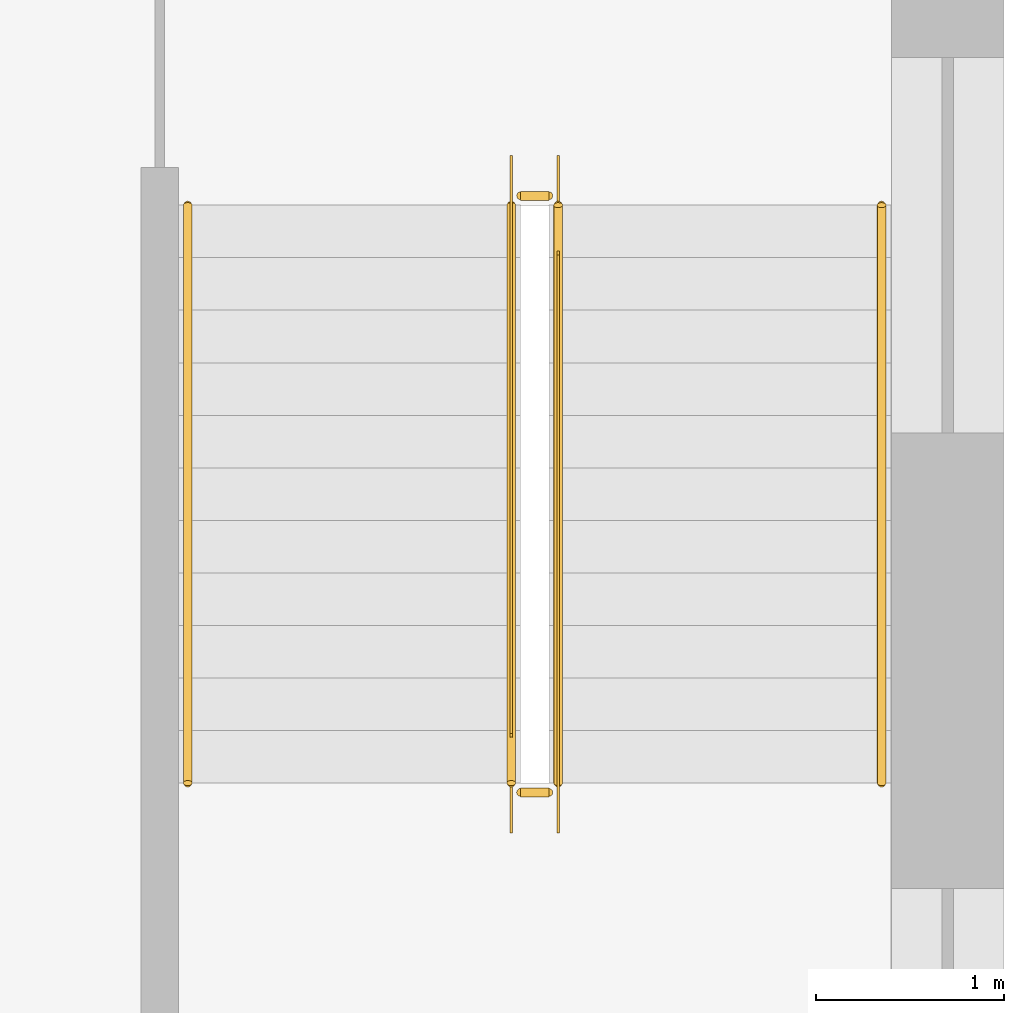
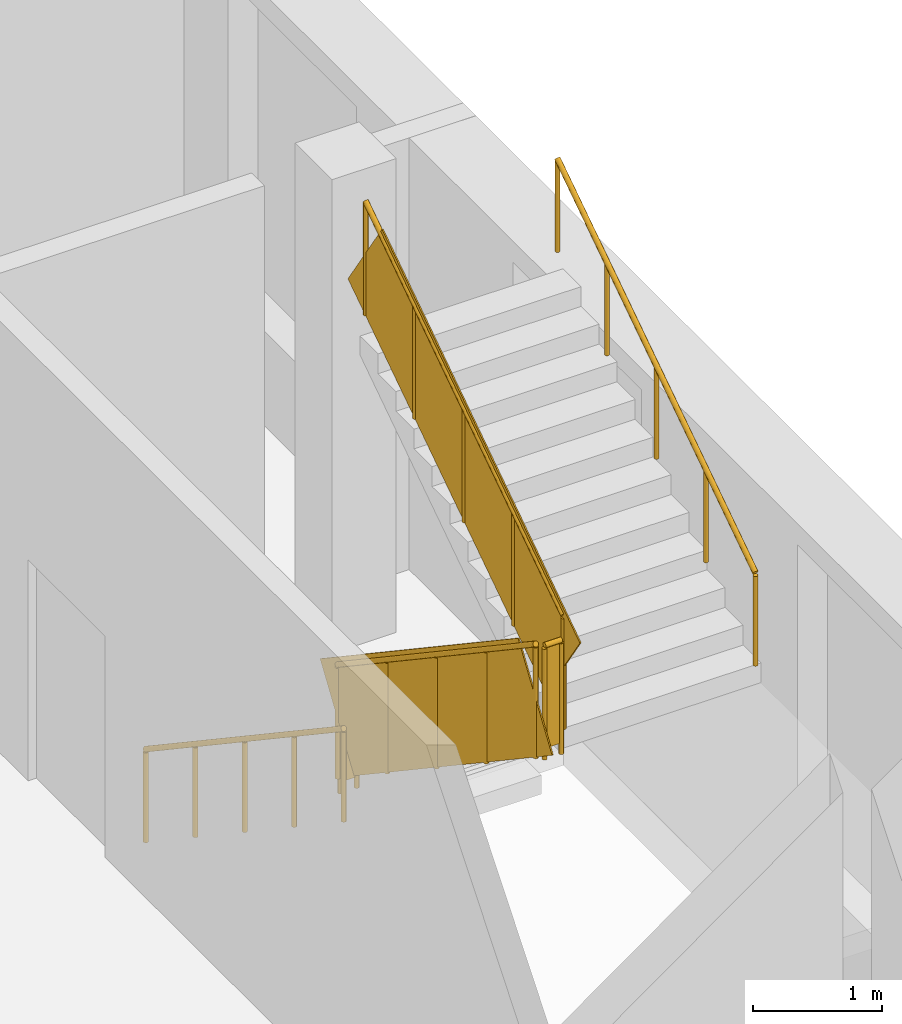
# One storey, part 23 of 27: 6 railings.
"""IFC4 building model written with IfcOpenShell, lengths in metres."""

from ifc_helpers import new_model, si_unit, direction, frame, origin, origin_2d, place, context, subcontext, project, spatial, rectangle, circle, extrude, material, type_object, element, save


model = new_model("IFC4")

# Units and contexts
model_context = context("Model", 3, precision=1e-05, world=origin(), true_north=direction((0.0, 1.0)))
body_context = subcontext(model_context, "Body", "Model", "MODEL_VIEW")
ifc_project = project(units=[si_unit("LENGTHUNIT", "METRE"), si_unit("AREAUNIT", "SQUARE_METRE"), si_unit("VOLUMEUNIT", "CUBIC_METRE"), si_unit("PLANEANGLEUNIT", "RADIAN"), si_unit("MASSUNIT", "GRAM", prefix="KILO")], contexts=[model_context])

# Site, building, storey
site_placement = place(None, origin())
site = spatial("IfcSite", under=ifc_project, at=site_placement, CompositionType="ELEMENT")
building_placement = place(site_placement, origin())
building = spatial("IfcBuilding", under=site, at=building_placement, Name="Dilmun Exchange Tower", CompositionType="ELEMENT")
storey_placement = place(building_placement, frame((0.0, 0.0, 4.5)))
storey = spatial("IfcBuildingStorey", under=building, at=storey_placement, Name="L01", CompositionType="ELEMENT", Elevation=4.5)

# Railings
ifc_material_1 = material(Name="Guard 1100")
railing_type_1 = type_object("IfcRailingType", Name="Guard 1100", PredefinedType="GUARDRAIL", material=ifc_material_1)
railing_1_placement = place(storey_placement, frame((33.3740234375, -2.0, 0.1875)))
element("IfcRailing", 1, at=railing_1_placement, inside=storey, type_object=railing_type_1, Name="L01 PS3 stair guard 1", PredefinedType="GUARDRAIL", context=body_context, shape_type="SweptSolid", body=[
    extrude(circle(Radius=0.02392578125, at=origin_2d()), frame((0.0, 0.0, 1.076171875), z_axis=(0.0, -0.830913701846, 0.55640131208), x_axis=(1.0, 0.0, 0.0)), (0.0, 0.0, 1.0), 3.706787109375),
    extrude(rectangle(XDim=0.011962890625, YDim=0.951904296875, at=origin_2d()), frame((0.0, 0.0, 0.576171875), z_axis=(0.0, -0.830913701846, 0.55640131208), x_axis=(1.0, 0.0, 0.0)), (0.0, 0.0, 1.0), 3.706787109375),
    extrude(circle(Radius=0.02099609375, at=origin_2d()), origin(), (0.0, 0.0, 1.0), 1.052001953125),
    extrude(circle(Radius=0.02099609375, at=origin_2d()), frame((0.0, -0.77001953125, 0.515625)), (0.0, 0.0, 1.0), 1.052001953125),
    extrude(circle(Radius=0.02099609375, at=origin_2d()), frame((0.0, -1.5400390625, 1.03125)), (0.0, 0.0, 1.0), 1.052001953125),
    extrude(circle(Radius=0.02099609375, at=origin_2d()), frame((0.0, -2.31005859375, 1.546875)), (0.0, 0.0, 1.0), 1.052001953125),
    extrude(circle(Radius=0.02099609375, at=origin_2d()), frame((0.0, -3.080078125, 2.0625)), (0.0, 0.0, 1.0), 1.052001953125),
])
railing_2_placement = place(storey_placement, frame((33.424072265625, -5.1298828125, 2.25)))
element("IfcRailing", 2, at=railing_2_placement, inside=storey, type_object=railing_type_1, Name="L01 PS3 stair guard 2", PredefinedType="GUARDRAIL", context=body_context, shape_type="SweptSolid", body=[
    extrude(circle(Radius=0.02392578125, at=origin_2d()), frame((0.0, 0.0, 1.076171875), z_axis=(1.0, 0.0, 0.0), x_axis=(0.0, 1.0, 0.0)), (0.0, 0.0, 1.0), 0.14990234375),
    extrude(rectangle(XDim=0.011962890625, YDim=0.951904296875, at=origin_2d()), frame((0.0, 0.0, 0.576171875), z_axis=(1.0, 0.0, 0.0), x_axis=(0.0, 1.0, 0.0)), (0.0, 0.0, 1.0), 0.14990234375),
    extrude(circle(Radius=0.02099609375, at=origin_2d()), origin(), (0.0, 0.0, 1.0), 1.052001953125),
    extrude(circle(Radius=0.02099609375, at=origin_2d()), frame((0.14990234375, 0.0, 0.0)), (0.0, 0.0, 1.0), 1.052001953125),
])
railing_3_placement = place(storey_placement, frame((33.6240234375, -5.080078125, 2.4375)))
element("IfcRailing", 3, at=railing_3_placement, inside=storey, type_object=railing_type_1, Name="L01 PS3 stair guard 3", PredefinedType="GUARDRAIL", context=body_context, shape_type="SweptSolid", body=[
    extrude(circle(Radius=0.02392578125, at=origin_2d()), frame((0.0, 0.0, 1.076171875), z_axis=(0.0, 0.830913701846, 0.55640131208), x_axis=(-1.0, 0.0, 0.0)), (0.0, 0.0, 1.0), 3.706787109375),
    extrude(rectangle(XDim=0.011962890625, YDim=0.951904296875, at=origin_2d()), frame((0.0, 0.0, 0.576171875), z_axis=(0.0, 0.830913701846, 0.55640131208), x_axis=(-1.0, 0.0, 0.0)), (0.0, 0.0, 1.0), 3.706787109375),
    extrude(circle(Radius=0.02099609375, at=origin_2d()), origin(), (0.0, 0.0, 1.0), 1.052001953125),
    extrude(circle(Radius=0.02099609375, at=origin_2d()), frame((0.0, 0.77001953125, 0.515625)), (0.0, 0.0, 1.0), 1.052001953125),
    extrude(circle(Radius=0.02099609375, at=origin_2d()), frame((0.0, 1.5400390625, 1.03125)), (0.0, 0.0, 1.0), 1.052001953125),
    extrude(circle(Radius=0.02099609375, at=origin_2d()), frame((0.0, 2.31005859375, 1.546875)), (0.0, 0.0, 1.0), 1.052001953125),
    extrude(circle(Radius=0.02099609375, at=origin_2d()), frame((0.0, 3.080078125, 2.0625)), (0.0, 0.0, 1.0), 1.052001953125),
])
railing_4_placement = place(storey_placement, frame((33.424072265625, -1.949951171875, 0.0)))
element("IfcRailing", 4, at=railing_4_placement, inside=storey, type_object=railing_type_1, Name="L01 PS3 stair guard 4", PredefinedType="GUARDRAIL", context=body_context, shape_type="SweptSolid", body=[
    extrude(circle(Radius=0.02392578125, at=origin_2d()), frame((0.0, 0.0, 1.076171875), z_axis=(1.0, 0.0, 0.0), x_axis=(0.0, 1.0, 0.0)), (0.0, 0.0, 1.0), 0.14990234375),
    extrude(rectangle(XDim=0.011962890625, YDim=0.951904296875, at=origin_2d()), frame((0.0, 0.0, 0.576171875), z_axis=(1.0, 0.0, 0.0), x_axis=(0.0, 1.0, 0.0)), (0.0, 0.0, 1.0), 0.14990234375),
    extrude(circle(Radius=0.02099609375, at=origin_2d()), origin(), (0.0, 0.0, 1.0), 1.052001953125),
    extrude(circle(Radius=0.02099609375, at=origin_2d()), frame((0.14990234375, 0.0, 0.0)), (0.0, 0.0, 1.0), 1.052001953125),
])
ifc_material_2 = material(Name="Handrail 900")
railing_type_2 = type_object("IfcRailingType", Name="Handrail 900", PredefinedType="HANDRAIL", material=ifc_material_2)
railing_5_placement = place(storey_placement, frame((31.64990234375, -2.0, 0.1875)))
element("IfcRailing", 5, at=railing_5_placement, inside=storey, type_object=railing_type_2, Name="L01 PS3 stair handrail 1", PredefinedType="HANDRAIL", context=body_context, shape_type="SweptSolid", body=[
    extrude(circle(Radius=0.02392578125, at=origin_2d()), frame((0.0, 0.0, 0.8759765625), z_axis=(0.0, -0.830913701846, 0.55640131208), x_axis=(1.0, 0.0, 0.0)), (0.0, 0.0, 1.0), 3.706787109375),
    extrude(circle(Radius=0.02099609375, at=origin_2d()), origin(), (0.0, 0.0, 1.0), 0.851806640625),
    extrude(circle(Radius=0.02099609375, at=origin_2d()), frame((0.0, -0.77001953125, 0.515625)), (0.0, 0.0, 1.0), 0.851806640625),
    extrude(circle(Radius=0.02099609375, at=origin_2d()), frame((0.0, -1.5400390625, 1.03125)), (0.0, 0.0, 1.0), 0.851806640625),
    extrude(circle(Radius=0.02099609375, at=origin_2d()), frame((0.0, -2.31005859375, 1.546875)), (0.0, 0.0, 1.0), 0.851806640625),
    extrude(circle(Radius=0.02099609375, at=origin_2d()), frame((0.0, -3.080078125, 2.0625)), (0.0, 0.0, 1.0), 0.851806640625),
])
railing_6_placement = place(storey_placement, frame((35.347900390625, -5.080078125, 2.4375)))
element("IfcRailing", 6, at=railing_6_placement, inside=storey, type_object=railing_type_2, Name="L01 PS3 stair handrail 2", PredefinedType="HANDRAIL", context=body_context, shape_type="SweptSolid", body=[
    extrude(circle(Radius=0.02392578125, at=origin_2d()), frame((0.0, 0.0, 0.8759765625), z_axis=(0.0, 0.830913701846, 0.55640131208), x_axis=(-1.0, 0.0, 0.0)), (0.0, 0.0, 1.0), 3.706787109375),
    extrude(circle(Radius=0.02099609375, at=origin_2d()), origin(), (0.0, 0.0, 1.0), 0.851806640625),
    extrude(circle(Radius=0.02099609375, at=origin_2d()), frame((0.0, 0.77001953125, 0.515625)), (0.0, 0.0, 1.0), 0.851806640625),
    extrude(circle(Radius=0.02099609375, at=origin_2d()), frame((0.0, 1.5400390625, 1.03125)), (0.0, 0.0, 1.0), 0.851806640625),
    extrude(circle(Radius=0.02099609375, at=origin_2d()), frame((0.0, 2.31005859375, 1.546875)), (0.0, 0.0, 1.0), 0.851806640625),
    extrude(circle(Radius=0.02099609375, at=origin_2d()), frame((0.0, 3.080078125, 2.0625)), (0.0, 0.0, 1.0), 0.851806640625),
])

save(model, "model.ifc")
